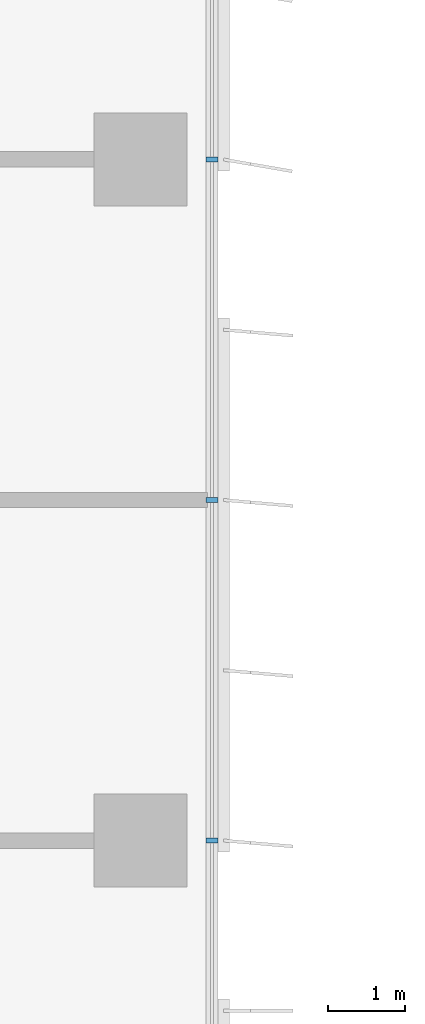
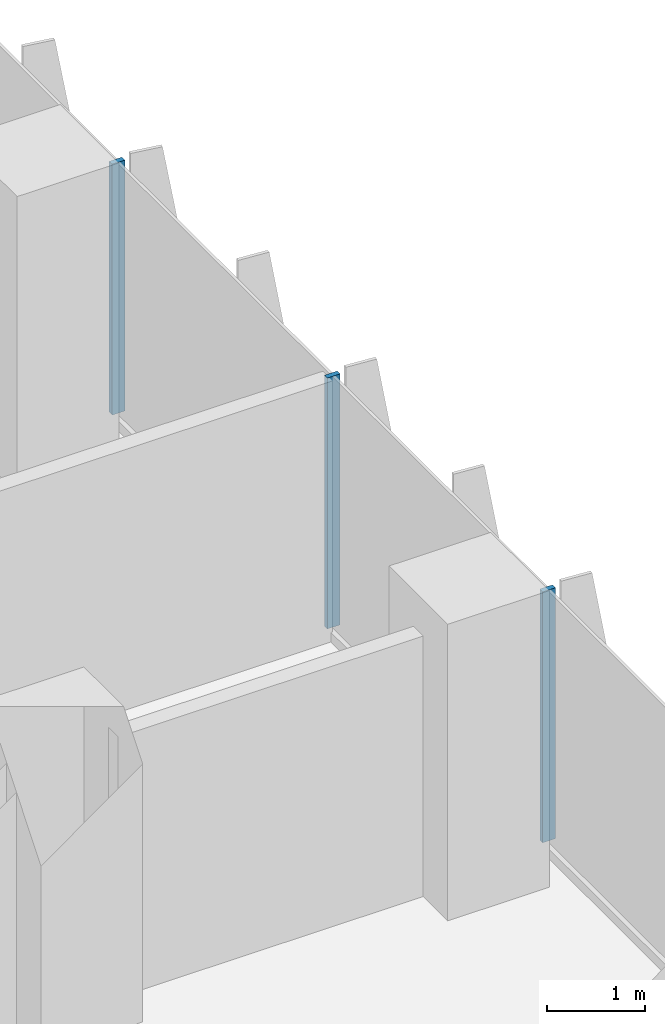
# One storey, part 7 of 22: 3 members, 1 element without a shape of its own.
"""IFC4 building model written with IfcOpenShell, lengths in metres."""

from ifc_helpers import new_model, si_unit, direction, frame, origin, origin_2d, place, context, subcontext, project, spatial, rectangle, extrude, source, transform, mapped, material, material_profile, profile_set, type_object, element, aggregate, save


model = new_model("IFC4")

# Units and contexts
model_context = context("Model", 3, precision=1e-05, world=origin(), true_north=direction((0.0, 1.0)))
body_context = subcontext(model_context, "Body", "Model", "MODEL_VIEW")
ifc_project = project(units=[si_unit("LENGTHUNIT", "METRE"), si_unit("AREAUNIT", "SQUARE_METRE"), si_unit("VOLUMEUNIT", "CUBIC_METRE"), si_unit("PLANEANGLEUNIT", "RADIAN"), si_unit("MASSUNIT", "GRAM", prefix="KILO")], contexts=[model_context])

# Site, building, storey
site_placement = place(None, origin())
site = spatial("IfcSite", under=ifc_project, at=site_placement, CompositionType="ELEMENT")
building_placement = place(site_placement, origin())
building = spatial("IfcBuilding", under=site, at=building_placement, Name="Kemantara Hotel Tower", CompositionType="ELEMENT")
storey_placement = place(building_placement, frame((0.0, 0.0, 129.60009765625)))
storey = spatial("IfcBuildingStorey", under=building, at=storey_placement, Name="L31", CompositionType="ELEMENT", Elevation=129.60009765625)

# Curtain wall, members
ifc_material_1 = material(Name="Low-E tinted double insulated glass 36 mm", Category="glass")
curtain_wall_type = type_object("IfcCurtainWallType", Name="TOWER CURTAIN WALL, FRONT FACES", PredefinedType="USERDEFINED", material=ifc_material_1)
curtain_wall_placement = place(storey_placement, origin())
curtain_wall = element("IfcCurtainWall", 1, at=curtain_wall_placement, inside=storey, type_object=curtain_wall_type, Name="CW4 L31 T2-R14-1", ObjectType="TOWER CURTAIN WALL, FRONT FACES", PredefinedType="USERDEFINED")
ifc_material_2 = material(Name="Aluminium 6063-T6 bronze anodised", Category="aluminium")
ifc_material_profile = material_profile(ifc_material_2, rectangle(XDim=0.14990234375, YDim=0.06005859375, at=origin_2d()), Name="TOWER CURTAIN WALL, FRONT FACES MULLION")
ifc_profile_set = profile_set([ifc_material_profile], Name="Aluminium 6063-T6 bronze anodised")
member_type = type_object("IfcMemberType", Name="TOWER CURTAIN WALL, FRONT FACES MULLION", PredefinedType="MULLION", material=ifc_profile_set)
shared_shape = source(origin(), body_context, "Body", "SweptSolid", [
    extrude(rectangle(XDim=0.14990234375, YDim=0.06005859375, at=origin_2d()), origin(), (0.0, 0.0, 1.0), 3.130126953125),
])
member_1_placement = place(storey_placement, frame((26.72509765625, 53.800048828125, 0.119873046875), z_axis=(0.0, 0.0, 1.0), x_axis=(-1.0, 0.0, 0.0)))
member_1 = element("IfcMember", 2, at=member_1_placement, type_object=member_type, Name="CW4 mullion T2-R14-1.9", PredefinedType="MULLION", context=body_context, shape_type="MappedRepresentation", body=[
    mapped(shared_shape, transform((0.0, 0.0, 0.0))),
])
member_2_placement = place(storey_placement, frame((26.72509765625, 58.199951171875, 0.119873046875), z_axis=(0.0, 0.0, 1.0), x_axis=(-1.0, 0.0, 0.0)))
member_2 = element("IfcMember", 3, at=member_2_placement, type_object=member_type, Name="CW4 mullion T2-R14-1.10", PredefinedType="MULLION", context=body_context, shape_type="MappedRepresentation", body=[
    mapped(shared_shape, transform((0.0, 0.0, 0.0))),
])
member_3_placement = place(storey_placement, frame((26.72509765625, 62.60009765625, 0.119873046875), z_axis=(0.0, 0.0, 1.0), x_axis=(-1.0, 0.0, 0.0)))
member_3 = element("IfcMember", 4, at=member_3_placement, type_object=member_type, Name="CW4 mullion T2-R14-1.11", PredefinedType="MULLION", context=body_context, shape_type="MappedRepresentation", body=[
    mapped(shared_shape, transform((0.0, 0.0, 0.0))),
])
aggregate(curtain_wall, [member_1, member_2, member_3])

save(model, "model.ifc")
